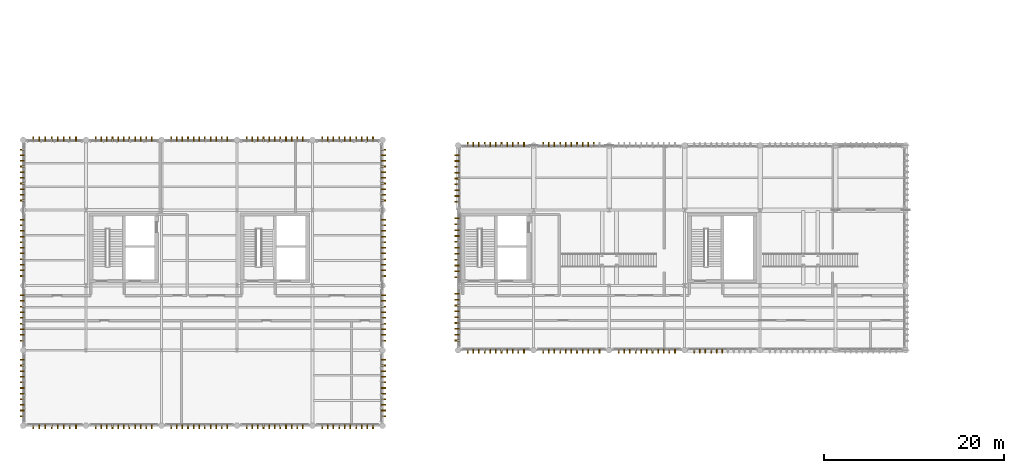
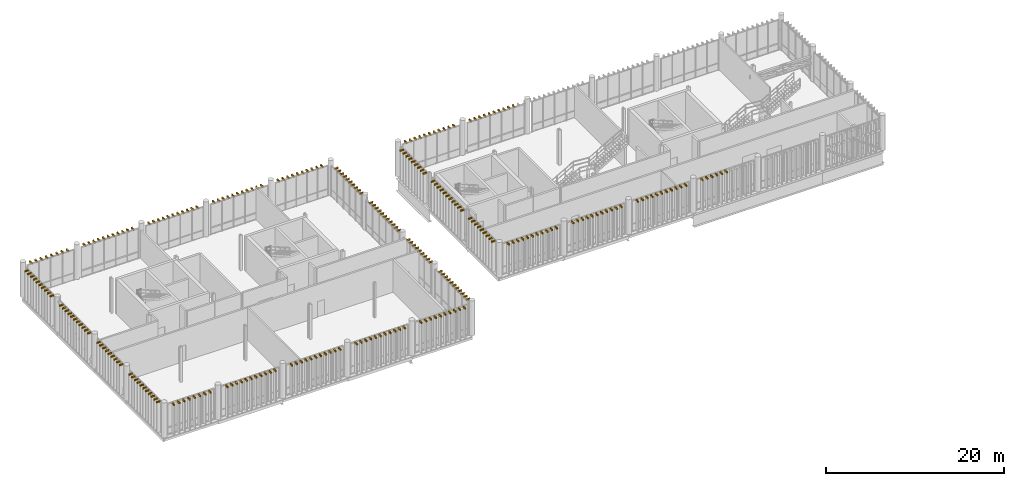
# One storey, part 84 of 86: 273 shading devices.
"""IFC4 building model written with IfcOpenShell, lengths in metres."""

import ifcopenshell
import ifcopenshell.guid

model = None  # the IFC model being written
_history = None  # IfcOwnerHistory: only IFC2X3 demands one
_inside = {}  # id of a spatial element -> (the spatial element, [elements in it])
_under = {}  # id of a project, library or spatial element -> (it, [spatial elements below it])
_declared = {}  # id of a project -> (the project, [libraries it declares])
_typed = {}  # id of a type object -> (the type object, [elements of that type])
_made_of = {}  # id of a material, layer set ... -> (it, [elements and type objects made of it])


def new_model(schema):
    """Start an empty IFC model of exactly this schema.

    Asked for "IFC4X3", IfcOpenShell would pick the latest addendum, in which some entities
    have other attributes; the version numbers below select the first issue.
    IFC2X3 requires an IfcOwnerHistory on every rooted entity: one is made here for all.
    """
    global model, _history
    if schema == "IFC4X3":
        model = ifcopenshell.file(schema_version=(4, 3, 0, 0))
    else:
        model = ifcopenshell.file(schema=schema)
    _inside.clear()
    _under.clear()
    _declared.clear()
    _typed.clear()
    _made_of.clear()
    _history = None
    if model.schema == "IFC2X3":
        org = make("IfcOrganization", Name="unknown")
        user = make(
            "IfcPersonAndOrganization",
            ThePerson=make("IfcPerson", FamilyName="unknown"),
            TheOrganization=org,
        )
        app = make(
            "IfcApplication",
            ApplicationDeveloper=org,
            Version="unknown",
            ApplicationFullName="unknown",
            ApplicationIdentifier="unknown",
        )
        _history = make(
            "IfcOwnerHistory",
            OwningUser=user,
            OwningApplication=app,
            ChangeAction="ADDED",
            CreationDate=0,
        )
    return model


def make(cls, **values):
    """One entity of the class cls with the attributes given. An attribute that is None is left unset."""
    return model.create_entity(
        cls, **{name: value for name, value in values.items() if value is not None}
    )


def rooted(cls, **values):
    """An entity with a GlobalId (a new one), such as an element, a storey or a relation."""
    return make(cls, GlobalId=ifcopenshell.guid.new(), OwnerHistory=_history, **values)


def si_unit(unit_type, name, prefix=None):
    """IfcSIUnit, for example si_unit("LENGTHUNIT", "METRE", prefix="MILLI")."""
    return make("IfcSIUnit", UnitType=unit_type, Prefix=prefix, Name=name)


def assignment(units):
    """IfcUnitAssignment: the units of a project."""
    return None if units is None else make("IfcUnitAssignment", Units=units)


def point(xyz):
    """IfcCartesianPoint."""
    return None if xyz is None else make("IfcCartesianPoint", Coordinates=xyz)


def direction(xyz):
    """IfcDirection."""
    return None if xyz is None else make("IfcDirection", DirectionRatios=xyz)


def frame(location, z_axis=None, x_axis=None):
    """IfcAxis2Placement3D, a coordinate frame: its origin and axes. An axis left out is left unset."""
    return make(
        "IfcAxis2Placement3D",
        Location=point(location),
        Axis=direction(z_axis),
        RefDirection=direction(x_axis),
    )


def frame_2d(location, x_axis=None):
    """IfcAxis2Placement2D, a coordinate frame in the plane: its origin and x axis."""
    return make(
        "IfcAxis2Placement2D", Location=point(location), RefDirection=direction(x_axis)
    )


def origin_with_axes():
    """The frame at (0, 0, 0) with the z axis (0, 0, 1) and the x axis (1, 0, 0) written out."""
    return frame((0.0, 0.0, 0.0), z_axis=(0.0, 0.0, 1.0), x_axis=(1.0, 0.0, 0.0))


def origin_2d_with_axis():
    """The frame at (0, 0) in the plane with the x axis (1, 0) written out."""
    return frame_2d((0.0, 0.0), x_axis=(1.0, 0.0))


def place(relative_to, where):
    """IfcLocalPlacement: puts the frame where relative to a parent placement (None: the world)."""
    return make(
        "IfcLocalPlacement", PlacementRelTo=relative_to, RelativePlacement=where
    )


def context(
    kind, dimensions, precision=None, world=None, true_north=None, identifier=None
):
    """IfcGeometricRepresentationContext, for example the 3D "Model" context."""
    return make(
        "IfcGeometricRepresentationContext",
        ContextIdentifier=identifier,
        ContextType=kind,
        CoordinateSpaceDimension=dimensions,
        Precision=precision,
        WorldCoordinateSystem=world,
        TrueNorth=true_north,
    )


def subcontext(parent, identifier, kind, view, scale=None):
    """IfcGeometricRepresentationSubContext, for example "Body" below "Model"."""
    return make(
        "IfcGeometricRepresentationSubContext",
        ContextIdentifier=identifier,
        ContextType=kind,
        ParentContext=parent,
        TargetScale=scale,
        TargetView=view,
    )


def project(units=None, contexts=None):
    """IfcProject with its units and contexts."""
    return rooted(
        "IfcProject",
        Name="project",
        RepresentationContexts=contexts,
        UnitsInContext=assignment(units),
    )


def spatial(cls, under=None, at=None, **own):
    """A site, building, storey or space (cls), placed at a placement, below another one or the project."""
    s = rooted(cls, ObjectPlacement=at, **own)
    if under is not None:
        _under.setdefault(under.id(), (under, []))[1].append(s)
    return s


def profile(cls, at=None, kind="AREA", **sizes):
    """A parametric profile (cls). Its sizes go by their IFC names, for example OverallWidth=200.0."""
    return make(cls, ProfileType=kind, Position=at, **sizes)


def rectangle(**sizes):
    """IfcRectangleProfileDef."""
    return profile("IfcRectangleProfileDef", **sizes)


def extrude(swept, where, along, depth):
    """IfcExtrudedAreaSolid: the profile swept, set in the frame where, extruded along a direction by depth."""
    return make(
        "IfcExtrudedAreaSolid",
        SweptArea=swept,
        Position=where,
        ExtrudedDirection=direction(along),
        Depth=depth,
    )


def shape(context_of_items, identifier, shape_type, items):
    """IfcShapeRepresentation: the items that make up one representation, for example the "Body"."""
    return make(
        "IfcShapeRepresentation",
        ContextOfItems=context_of_items,
        RepresentationIdentifier=identifier,
        RepresentationType=shape_type,
        Items=items,
    )


def material(Name=None, Category=None):
    """IfcMaterial."""
    return make("IfcMaterial", Name=Name, Category=Category)


def made_of(thing, what):
    """Note that an element or type object is made of a material, layer set ...; save() writes the relation."""
    if what is not None:
        _made_of.setdefault(what.id(), (what, []))[1].append(thing)
    return thing


def type_object(cls, material=None, **own):
    """A type object (cls), such as IfcWallType, which elements share."""
    return made_of(rooted(cls, **own), material)


def element(
    cls,
    number,
    at=None,
    inside=None,
    cuts=None,
    type_object=None,
    material=None,
    context=None,
    identifier="Body",
    shape_type=None,
    held_by="IfcProductDefinitionShape",
    body=None,
    shapes=None,
    **own,
):
    """One element of the class cls, such as IfcWall. Its Tag is "e" and its number.

    at: its placement. inside: the storey or other place that contains it. cuts: it is an
    opening in that element (IfcRelVoidsElement). A single representation is given by context,
    identifier, shape_type and body (its items); several are given by shapes. held_by: the class
    of the entity that holds the representations. save() writes the other relations.
    """
    e = rooted(cls, Tag="e%d" % number, ObjectPlacement=at, **own)
    if body is not None:
        shapes = [shape(context, identifier, shape_type, body)]
    if shapes is not None:
        e.Representation = make(held_by, Representations=shapes)
    if inside is not None:
        _inside.setdefault(inside.id(), (inside, []))[1].append(e)
    if cuts is not None:
        rooted(
            "IfcRelVoidsElement", RelatingBuildingElement=cuts, RelatedOpeningElement=e
        )
    if type_object is not None:
        _typed.setdefault(type_object.id(), (type_object, []))[1].append(e)
    return made_of(e, material)


def aggregate(whole, parts):
    """IfcRelAggregates: a whole, such as a stair, and the parts it consists of."""
    return rooted("IfcRelAggregates", RelatingObject=whole, RelatedObjects=parts)


def save(model, path):
    """Write the relations noted so far, then the file.

    IfcRelAggregates (storeys below a building ...), IfcRelContainedInSpatialStructure (elements
    in a storey), IfcRelDefinesByType, IfcRelAssociatesMaterial and IfcRelDeclares: one each for
    every whole, place, type object, material and project.
    """
    for whole, parts in _under.values():
        aggregate(whole, parts)
    for where, things in _inside.values():
        rooted(
            "IfcRelContainedInSpatialStructure",
            RelatedElements=things,
            RelatingStructure=where,
        )
    for kind, things in _typed.values():
        rooted("IfcRelDefinesByType", RelatedObjects=things, RelatingType=kind)
    for what, things in _made_of.values():
        rooted("IfcRelAssociatesMaterial", RelatedObjects=things, RelatingMaterial=what)
    for by, libraries in _declared.values():
        rooted("IfcRelDeclares", RelatingContext=by, RelatedDefinitions=libraries)
    model.write(path)


model = new_model("IFC4")

# Units and contexts
model_context = context("Model", 3, precision=1e-05, world=origin_with_axes(), true_north=direction((0.0, 1.0)))
body_context = subcontext(model_context, "Body", "Model", "MODEL_VIEW")
ifc_project = project(units=[si_unit("LENGTHUNIT", "METRE"), si_unit("AREAUNIT", "SQUARE_METRE"), si_unit("VOLUMEUNIT", "CUBIC_METRE"), si_unit("PLANEANGLEUNIT", "RADIAN"), si_unit("MASSUNIT", "GRAM", prefix="KILO"), si_unit("THERMODYNAMICTEMPERATUREUNIT", "KELVIN")], contexts=[model_context])

# Site, building, storey
site_placement = place(None, origin_with_axes())
site = spatial("IfcSite", under=ifc_project, at=site_placement, CompositionType="ELEMENT")
building_placement = place(site_placement, origin_with_axes())
building = spatial("IfcBuilding", under=site, at=building_placement, Name="Montbau Bow Law Courts", CompositionType="ELEMENT")
storey_placement = place(building_placement, frame((0.0, 0.0, 29.7), z_axis=(0.0, 0.0, 1.0), x_axis=(1.0, 0.0, 0.0)))
storey = spatial("IfcBuildingStorey", under=building, at=storey_placement, Name="L06", CompositionType="ELEMENT", Elevation=29.7)

# Shading devices
ifc_material_1 = material(Name="Freeze-Thaw Glazed Cream Ceramic Vertical Louvre", Category="masonry")
shading_device_type_1 = type_object("IfcShadingDeviceType", Name="SH-LVR-CRM", PredefinedType="USERDEFINED", material=ifc_material_1)
for number, where, z_axis, x_axis, name in (
    (1, (56.267, 38.89, 33.74), (0.0, 0.0, 1.0), (0.0, -1.0, 0.0), "LVR-L06-1903:shd_1903"),
    (2, (56.893, 38.89, 33.74), (0.0, 0.0, 1.0), (0.0, -1.0, 0.0), "LVR-L06-1904:shd_1904"),
    (3, (57.52, 38.89, 33.74), (0.0, 0.0, 1.0), (0.0, -1.0, 0.0), "LVR-L06-1905:shd_1905"),
    (4, (58.147, 38.89, 33.74), (0.0, 0.0, 1.0), (0.0, -1.0, 0.0), "LVR-L06-1906:shd_1906"),
    (5, (58.773, 38.89, 33.74), (0.0, 0.0, 1.0), (0.0, -1.0, 0.0), "LVR-L06-1907:shd_1907"),
    (6, (59.4, 38.89, 33.74), (0.0, 0.0, 1.0), (0.0, -1.0, 0.0), "LVR-L06-1908:shd_1908"),
    (7, (60.027, 38.89, 33.74), (0.0, 0.0, 1.0), (0.0, -1.0, 0.0), "LVR-L06-1909:shd_1909"),
    (8, (60.653, 38.89, 33.74), (0.0, 0.0, 1.0), (0.0, -1.0, 0.0), "LVR-L06-1910:shd_1910"),
    (9, (61.28, 38.89, 33.74), (0.0, 0.0, 1.0), (0.0, -1.0, 0.0), "LVR-L06-1911:shd_1911"),
    (10, (61.907, 38.89, 33.74), (0.0, 0.0, 1.0), (0.0, -1.0, 0.0), "LVR-L06-1912:shd_1912"),
    (11, (62.533, 38.89, 33.74), (0.0, 0.0, 1.0), (0.0, -1.0, 0.0), "LVR-L06-1913:shd_1913"),
    (12, (64.667, 38.89, 33.74), (0.0, 0.0, 1.0), (0.0, -1.0, 0.0), "LVR-L06-1914:shd_1914"),
    (13, (65.293, 38.89, 33.74), (0.0, 0.0, 1.0), (0.0, -1.0, 0.0), "LVR-L06-1915:shd_1915"),
    (14, (65.92, 38.89, 33.74), (0.0, 0.0, 1.0), (0.0, -1.0, 0.0), "LVR-L06-1916:shd_1916"),
    (15, (66.547, 38.89, 33.74), (0.0, 0.0, 1.0), (0.0, -1.0, 0.0), "LVR-L06-1917:shd_1917"),
    (16, (67.173, 38.89, 33.74), (0.0, 0.0, 1.0), (0.0, -1.0, 0.0), "LVR-L06-1918:shd_1918"),
    (17, (67.8, 38.89, 33.74), (0.0, 0.0, 1.0), (0.0, -1.0, 0.0), "LVR-L06-1919:shd_1919"),
    (18, (68.427, 38.89, 33.74), (0.0, 0.0, 1.0), (0.0, -1.0, 0.0), "LVR-L06-1920:shd_1920"),
    (19, (69.053, 38.89, 33.74), (0.0, 0.0, 1.0), (0.0, -1.0, 0.0), "LVR-L06-1921:shd_1921"),
    (20, (69.68, 38.89, 33.74), (0.0, 0.0, 1.0), (0.0, -1.0, 0.0), "LVR-L06-1922:shd_1922"),
    (21, (70.307, 38.89, 33.74), (0.0, 0.0, 1.0), (0.0, -1.0, 0.0), "LVR-L06-1923:shd_1923"),
    (22, (70.933, 38.89, 33.74), (0.0, 0.0, 1.0), (0.0, -1.0, 0.0), "LVR-L06-1924:shd_1924"),
    (23, (73.067, 38.89, 33.74), (0.0, 0.0, 1.0), (0.0, -1.0, 0.0), "LVR-L06-1925:shd_1925"),
    (24, (73.693, 38.89, 33.74), (0.0, 0.0, 1.0), (0.0, -1.0, 0.0), "LVR-L06-1926:shd_1926"),
    (25, (74.32, 38.89, 33.74), (0.0, 0.0, 1.0), (0.0, -1.0, 0.0), "LVR-L06-1927:shd_1927"),
    (26, (74.947, 38.89, 33.74), (0.0, 0.0, 1.0), (0.0, -1.0, 0.0), "LVR-L06-1928:shd_1928"),
    (27, (75.573, 38.89, 33.74), (0.0, 0.0, 1.0), (0.0, -1.0, 0.0), "LVR-L06-1929:shd_1929"),
    (28, (76.2, 38.89, 33.74), (0.0, 0.0, 1.0), (0.0, -1.0, 0.0), "LVR-L06-1930:shd_1930"),
    (29, (76.827, 38.89, 33.74), (0.0, 0.0, 1.0), (0.0, -1.0, 0.0), "LVR-L06-1931:shd_1931"),
    (30, (77.453, 38.89, 33.74), (0.0, 0.0, 1.0), (0.0, -1.0, 0.0), "LVR-L06-1932:shd_1932"),
    (31, (78.08, 38.89, 33.74), (0.0, 0.0, 1.0), (0.0, -1.0, 0.0), "LVR-L06-1933:shd_1933"),
    (32, (78.707, 38.89, 33.74), (0.0, 0.0, 1.0), (0.0, -1.0, 0.0), "LVR-L06-1934:shd_1934"),
    (33, (79.333, 38.89, 33.74), (0.0, 0.0, 1.0), (0.0, -1.0, 0.0), "LVR-L06-1935:shd_1935"),
    (34, (81.467, 38.89, 33.74), (0.0, 0.0, 1.0), (0.0, -1.0, 0.0), "LVR-L06-1936:shd_1936"),
    (35, (82.093, 38.89, 33.74), (0.0, 0.0, 1.0), (0.0, -1.0, 0.0), "LVR-L06-1937:shd_1937"),
    (36, (82.72, 38.89, 33.74), (0.0, 0.0, 1.0), (0.0, -1.0, 0.0), "LVR-L06-1938:shd_1938"),
    (37, (83.347, 38.89, 33.74), (0.0, 0.0, 1.0), (0.0, -1.0, 0.0), "LVR-L06-1939:shd_1939"),
    (38, (83.973, 38.89, 33.74), (0.0, 0.0, 1.0), (0.0, -1.0, 0.0), "LVR-L06-1940:shd_1940"),
    (39, (84.6, 38.89, 33.74), (0.0, 0.0, 1.0), (0.0, -1.0, 0.0), "LVR-L06-1941:shd_1941"),
    (40, (56.267, 61.91, 33.74), (0.0, 0.0, 1.0), (0.0, 1.0, 0.0), "LVR-L06-1968:shd_1968"),
    (41, (56.893, 61.91, 33.74), (0.0, 0.0, 1.0), (0.0, 1.0, 0.0), "LVR-L06-1969:shd_1969"),
    (42, (57.52, 61.91, 33.74), (0.0, 0.0, 1.0), (0.0, 1.0, 0.0), "LVR-L06-1970:shd_1970"),
    (43, (58.147, 61.91, 33.74), (0.0, 0.0, 1.0), (0.0, 1.0, 0.0), "LVR-L06-1971:shd_1971"),
    (44, (58.773, 61.91, 33.74), (0.0, 0.0, 1.0), (0.0, 1.0, 0.0), "LVR-L06-1972:shd_1972"),
    (45, (59.4, 61.91, 33.74), (0.0, 0.0, 1.0), (0.0, 1.0, 0.0), "LVR-L06-1973:shd_1973"),
    (46, (60.027, 61.91, 33.74), (0.0, 0.0, 1.0), (0.0, 1.0, 0.0), "LVR-L06-1974:shd_1974"),
    (47, (60.653, 61.91, 33.74), (0.0, 0.0, 1.0), (0.0, 1.0, 0.0), "LVR-L06-1975:shd_1975"),
    (48, (61.28, 61.91, 33.74), (0.0, 0.0, 1.0), (0.0, 1.0, 0.0), "LVR-L06-1976:shd_1976"),
    (49, (61.907, 61.91, 33.74), (0.0, 0.0, 1.0), (0.0, 1.0, 0.0), "LVR-L06-1977:shd_1977"),
    (50, (62.533, 61.91, 33.74), (0.0, 0.0, 1.0), (0.0, 1.0, 0.0), "LVR-L06-1978:shd_1978"),
    (51, (64.667, 61.91, 33.74), (0.0, 0.0, 1.0), (0.0, 1.0, 0.0), "LVR-L06-1979:shd_1979"),
    (52, (65.293, 61.91, 33.74), (0.0, 0.0, 1.0), (0.0, 1.0, 0.0), "LVR-L06-1980:shd_1980"),
    (53, (65.92, 61.91, 33.74), (0.0, 0.0, 1.0), (0.0, 1.0, 0.0), "LVR-L06-1981:shd_1981"),
    (54, (66.547, 61.91, 33.74), (0.0, 0.0, 1.0), (0.0, 1.0, 0.0), "LVR-L06-1982:shd_1982"),
    (55, (67.173, 61.91, 33.74), (0.0, 0.0, 1.0), (0.0, 1.0, 0.0), "LVR-L06-1983:shd_1983"),
    (56, (67.8, 61.91, 33.74), (0.0, 0.0, 1.0), (0.0, 1.0, 0.0), "LVR-L06-1984:shd_1984"),
    (57, (68.427, 61.91, 33.74), (0.0, 0.0, 1.0), (0.0, 1.0, 0.0), "LVR-L06-1985:shd_1985"),
    (58, (69.053, 61.91, 33.74), (0.0, 0.0, 1.0), (0.0, 1.0, 0.0), "LVR-L06-1986:shd_1986"),
    (59, (69.68, 61.91, 33.74), (0.0, 0.0, 1.0), (0.0, 1.0, 0.0), "LVR-L06-1987:shd_1987"),
    (60, (70.307, 61.91, 33.74), (0.0, 0.0, 1.0), (0.0, 1.0, 0.0), "LVR-L06-1988:shd_1988"),
    (61, (55.09, 40.089, 33.74), (0.0, 0.0, 1.0), (-1.0, 0.0, 0.0), "LVR-L06-2033:shd_2033"),
    (62, (55.09, 40.738, 33.74), (0.0, 0.0, 1.0), (-1.0, 0.0, 0.0), "LVR-L06-2034:shd_2034"),
    (63, (55.09, 41.388, 33.74), (0.0, 0.0, 1.0), (-1.0, 0.0, 0.0), "LVR-L06-2035:shd_2035"),
    (64, (55.09, 42.037, 33.74), (0.0, 0.0, 1.0), (-1.0, 0.0, 0.0), "LVR-L06-2036:shd_2036"),
    (65, (55.09, 42.686, 33.74), (0.0, 0.0, 1.0), (-1.0, 0.0, 0.0), "LVR-L06-2037:shd_2037"),
    (66, (55.09, 43.335, 33.74), (0.0, 0.0, 1.0), (-1.0, 0.0, 0.0), "LVR-L06-2038:shd_2038"),
    (67, (55.09, 43.984, 33.74), (0.0, 0.0, 1.0), (-1.0, 0.0, 0.0), "LVR-L06-2039:shd_2039"),
    (68, (55.09, 44.634, 33.74), (0.0, 0.0, 1.0), (-1.0, 0.0, 0.0), "LVR-L06-2040:shd_2040"),
    (69, (55.09, 45.283, 33.74), (0.0, 0.0, 1.0), (-1.0, 0.0, 0.0), "LVR-L06-2041:shd_2041"),
    (70, (55.09, 47.123, 33.74), (0.0, 0.0, 1.0), (-1.0, 0.0, 0.0), "LVR-L06-2042:shd_2042"),
    (71, (55.09, 47.779, 33.74), (0.0, 0.0, 1.0), (-1.0, 0.0, 0.0), "LVR-L06-2043:shd_2043"),
    (72, (55.09, 48.434, 33.74), (0.0, 0.0, 1.0), (-1.0, 0.0, 0.0), "LVR-L06-2044:shd_2044"),
    (73, (55.09, 49.089, 33.74), (0.0, 0.0, 1.0), (-1.0, 0.0, 0.0), "LVR-L06-2045:shd_2045"),
    (74, (55.09, 49.745, 33.74), (0.0, 0.0, 1.0), (-1.0, 0.0, 0.0), "LVR-L06-2046:shd_2046"),
    (75, (55.09, 50.4, 33.74), (0.0, 0.0, 1.0), (-1.0, 0.0, 0.0), "LVR-L06-2047:shd_2047"),
    (76, (55.09, 51.055, 33.74), (0.0, 0.0, 1.0), (-1.0, 0.0, 0.0), "LVR-L06-2048:shd_2048"),
    (77, (55.09, 51.711, 33.74), (0.0, 0.0, 1.0), (-1.0, 0.0, 0.0), "LVR-L06-2049:shd_2049"),
    (78, (55.09, 52.366, 33.74), (0.0, 0.0, 1.0), (-1.0, 0.0, 0.0), "LVR-L06-2050:shd_2050"),
    (79, (55.09, 53.021, 33.74), (0.0, 0.0, 1.0), (-1.0, 0.0, 0.0), "LVR-L06-2051:shd_2051"),
    (80, (55.09, 53.677, 33.74), (0.0, 0.0, 1.0), (-1.0, 0.0, 0.0), "LVR-L06-2052:shd_2052"),
    (81, (55.09, 55.517, 33.74), (0.0, 0.0, 1.0), (-1.0, 0.0, 0.0), "LVR-L06-2053:shd_2053"),
    (82, (55.09, 56.166, 33.74), (0.0, 0.0, 1.0), (-1.0, 0.0, 0.0), "LVR-L06-2054:shd_2054"),
    (83, (55.09, 56.816, 33.74), (0.0, 0.0, 1.0), (-1.0, 0.0, 0.0), "LVR-L06-2055:shd_2055"),
    (84, (55.09, 57.465, 33.74), (0.0, 0.0, 1.0), (-1.0, 0.0, 0.0), "LVR-L06-2056:shd_2056"),
    (85, (55.09, 58.114, 33.74), (0.0, 0.0, 1.0), (-1.0, 0.0, 0.0), "LVR-L06-2057:shd_2057"),
    (86, (55.09, 58.763, 33.74), (0.0, 0.0, 1.0), (-1.0, 0.0, 0.0), "LVR-L06-2058:shd_2058"),
    (87, (55.09, 59.412, 33.74), (0.0, 0.0, 1.0), (-1.0, 0.0, 0.0), "LVR-L06-2059:shd_2059"),
    (88, (55.09, 60.062, 33.74), (0.0, 0.0, 1.0), (-1.0, 0.0, 0.0), "LVR-L06-2060:shd_2060"),
    (89, (55.09, 60.711, 33.74), (0.0, 0.0, 1.0), (-1.0, 0.0, 0.0), "LVR-L06-2061:shd_2061"),
):
    element("IfcShadingDevice", number, at=place(None, frame(where, z_axis=z_axis, x_axis=x_axis)), inside=storey, type_object=shading_device_type_1, Name=name, ObjectType="LOUVRE", PredefinedType="USERDEFINED", context=body_context, shape_type="SweptSolid", body=[
        extrude(rectangle(XDim=0.48, YDim=0.12, at=origin_2d_with_axis()), origin_with_axes(), (0.0, 0.0, 1.0), 0.18),
    ])
ifc_material_2 = material(Name="Freeze-Thaw Glazed Terracotta-Red Ceramic Vertical Louvre", Category="masonry")
shading_device_type_2 = type_object("IfcShadingDeviceType", Name="SH-LVR-RED", PredefinedType="USERDEFINED", material=ifc_material_2)
for number, where, z_axis, x_axis, name in (
    (90, (7.92, 30.49, 33.74), (0.0, 0.0, 1.0), (0.0, -1.0, 0.0), "LVR-L06-0792:shd_0792"),
    (91, (8.6, 30.49, 33.74), (0.0, 0.0, 1.0), (0.0, -1.0, 0.0), "LVR-L06-0793:shd_0793"),
    (92, (9.28, 30.49, 33.74), (0.0, 0.0, 1.0), (0.0, -1.0, 0.0), "LVR-L06-0794:shd_0794"),
    (93, (9.96, 30.49, 33.74), (0.0, 0.0, 1.0), (0.0, -1.0, 0.0), "LVR-L06-0795:shd_0795"),
    (94, (10.64, 30.49, 33.74), (0.0, 0.0, 1.0), (0.0, -1.0, 0.0), "LVR-L06-0796:shd_0796"),
    (95, (11.32, 30.49, 33.74), (0.0, 0.0, 1.0), (0.0, -1.0, 0.0), "LVR-L06-0797:shd_0797"),
    (96, (12.0, 30.49, 33.74), (0.0, 0.0, 1.0), (0.0, -1.0, 0.0), "LVR-L06-0798:shd_0798"),
    (97, (12.68, 30.49, 33.74), (0.0, 0.0, 1.0), (0.0, -1.0, 0.0), "LVR-L06-0799:shd_0799"),
    (98, (14.867, 30.49, 33.74), (0.0, 0.0, 1.0), (0.0, -1.0, 0.0), "LVR-L06-0800:shd_0800"),
    (99, (15.493, 30.49, 33.74), (0.0, 0.0, 1.0), (0.0, -1.0, 0.0), "LVR-L06-0801:shd_0801"),
    (100, (16.12, 30.49, 33.74), (0.0, 0.0, 1.0), (0.0, -1.0, 0.0), "LVR-L06-0802:shd_0802"),
    (101, (16.747, 30.49, 33.74), (0.0, 0.0, 1.0), (0.0, -1.0, 0.0), "LVR-L06-0803:shd_0803"),
    (102, (17.373, 30.49, 33.74), (0.0, 0.0, 1.0), (0.0, -1.0, 0.0), "LVR-L06-0804:shd_0804"),
    (103, (18.0, 30.49, 33.74), (0.0, 0.0, 1.0), (0.0, -1.0, 0.0), "LVR-L06-0805:shd_0805"),
    (104, (18.627, 30.49, 33.74), (0.0, 0.0, 1.0), (0.0, -1.0, 0.0), "LVR-L06-0806:shd_0806"),
    (105, (19.253, 30.49, 33.74), (0.0, 0.0, 1.0), (0.0, -1.0, 0.0), "LVR-L06-0807:shd_0807"),
    (106, (19.88, 30.49, 33.74), (0.0, 0.0, 1.0), (0.0, -1.0, 0.0), "LVR-L06-0808:shd_0808"),
    (107, (20.507, 30.49, 33.74), (0.0, 0.0, 1.0), (0.0, -1.0, 0.0), "LVR-L06-0809:shd_0809"),
    (108, (21.133, 30.49, 33.74), (0.0, 0.0, 1.0), (0.0, -1.0, 0.0), "LVR-L06-0810:shd_0810"),
    (109, (23.267, 30.49, 33.74), (0.0, 0.0, 1.0), (0.0, -1.0, 0.0), "LVR-L06-0811:shd_0811"),
    (110, (23.893, 30.49, 33.74), (0.0, 0.0, 1.0), (0.0, -1.0, 0.0), "LVR-L06-0812:shd_0812"),
    (111, (24.52, 30.49, 33.74), (0.0, 0.0, 1.0), (0.0, -1.0, 0.0), "LVR-L06-0813:shd_0813"),
    (112, (25.147, 30.49, 33.74), (0.0, 0.0, 1.0), (0.0, -1.0, 0.0), "LVR-L06-0814:shd_0814"),
    (113, (25.773, 30.49, 33.74), (0.0, 0.0, 1.0), (0.0, -1.0, 0.0), "LVR-L06-0815:shd_0815"),
    (114, (26.4, 30.49, 33.74), (0.0, 0.0, 1.0), (0.0, -1.0, 0.0), "LVR-L06-0816:shd_0816"),
    (115, (27.027, 30.49, 33.74), (0.0, 0.0, 1.0), (0.0, -1.0, 0.0), "LVR-L06-0817:shd_0817"),
    (116, (27.653, 30.49, 33.74), (0.0, 0.0, 1.0), (0.0, -1.0, 0.0), "LVR-L06-0818:shd_0818"),
    (117, (28.28, 30.49, 33.74), (0.0, 0.0, 1.0), (0.0, -1.0, 0.0), "LVR-L06-0819:shd_0819"),
    (118, (28.907, 30.49, 33.74), (0.0, 0.0, 1.0), (0.0, -1.0, 0.0), "LVR-L06-0820:shd_0820"),
    (119, (29.533, 30.49, 33.74), (0.0, 0.0, 1.0), (0.0, -1.0, 0.0), "LVR-L06-0821:shd_0821"),
    (120, (31.667, 30.49, 33.74), (0.0, 0.0, 1.0), (0.0, -1.0, 0.0), "LVR-L06-0822:shd_0822"),
    (121, (32.293, 30.49, 33.74), (0.0, 0.0, 1.0), (0.0, -1.0, 0.0), "LVR-L06-0823:shd_0823"),
    (122, (32.92, 30.49, 33.74), (0.0, 0.0, 1.0), (0.0, -1.0, 0.0), "LVR-L06-0824:shd_0824"),
    (123, (33.547, 30.49, 33.74), (0.0, 0.0, 1.0), (0.0, -1.0, 0.0), "LVR-L06-0825:shd_0825"),
    (124, (34.173, 30.49, 33.74), (0.0, 0.0, 1.0), (0.0, -1.0, 0.0), "LVR-L06-0826:shd_0826"),
    (125, (34.8, 30.49, 33.74), (0.0, 0.0, 1.0), (0.0, -1.0, 0.0), "LVR-L06-0827:shd_0827"),
    (126, (35.427, 30.49, 33.74), (0.0, 0.0, 1.0), (0.0, -1.0, 0.0), "LVR-L06-0828:shd_0828"),
    (127, (36.053, 30.49, 33.74), (0.0, 0.0, 1.0), (0.0, -1.0, 0.0), "LVR-L06-0829:shd_0829"),
    (128, (36.68, 30.49, 33.74), (0.0, 0.0, 1.0), (0.0, -1.0, 0.0), "LVR-L06-0830:shd_0830"),
    (129, (37.307, 30.49, 33.74), (0.0, 0.0, 1.0), (0.0, -1.0, 0.0), "LVR-L06-0831:shd_0831"),
    (130, (37.933, 30.49, 33.74), (0.0, 0.0, 1.0), (0.0, -1.0, 0.0), "LVR-L06-0832:shd_0832"),
    (131, (40.069, 30.49, 33.74), (0.0, 0.0, 1.0), (0.0, -1.0, 0.0), "LVR-L06-0833:shd_0833"),
    (132, (40.698, 30.49, 33.74), (0.0, 0.0, 1.0), (0.0, -1.0, 0.0), "LVR-L06-0834:shd_0834"),
    (133, (41.327, 30.49, 33.74), (0.0, 0.0, 1.0), (0.0, -1.0, 0.0), "LVR-L06-0835:shd_0835"),
    (134, (41.956, 30.49, 33.74), (0.0, 0.0, 1.0), (0.0, -1.0, 0.0), "LVR-L06-0836:shd_0836"),
    (135, (42.585, 30.49, 33.74), (0.0, 0.0, 1.0), (0.0, -1.0, 0.0), "LVR-L06-0837:shd_0837"),
    (136, (43.215, 30.49, 33.74), (0.0, 0.0, 1.0), (0.0, -1.0, 0.0), "LVR-L06-0838:shd_0838"),
    (137, (43.844, 30.49, 33.74), (0.0, 0.0, 1.0), (0.0, -1.0, 0.0), "LVR-L06-0839:shd_0839"),
    (138, (44.473, 30.49, 33.74), (0.0, 0.0, 1.0), (0.0, -1.0, 0.0), "LVR-L06-0840:shd_0840"),
    (139, (45.102, 30.49, 33.74), (0.0, 0.0, 1.0), (0.0, -1.0, 0.0), "LVR-L06-0841:shd_0841"),
    (140, (45.731, 30.49, 33.74), (0.0, 0.0, 1.0), (0.0, -1.0, 0.0), "LVR-L06-0842:shd_0842"),
    (141, (7.92, 62.51, 33.74), (0.0, 0.0, 1.0), (0.0, 1.0, 0.0), "LVR-L06-0843:shd_0843"),
    (142, (8.6, 62.51, 33.74), (0.0, 0.0, 1.0), (0.0, 1.0, 0.0), "LVR-L06-0844:shd_0844"),
    (143, (9.28, 62.51, 33.74), (0.0, 0.0, 1.0), (0.0, 1.0, 0.0), "LVR-L06-0845:shd_0845"),
    (144, (9.96, 62.51, 33.74), (0.0, 0.0, 1.0), (0.0, 1.0, 0.0), "LVR-L06-0846:shd_0846"),
    (145, (10.64, 62.51, 33.74), (0.0, 0.0, 1.0), (0.0, 1.0, 0.0), "LVR-L06-0847:shd_0847"),
    (146, (11.32, 62.51, 33.74), (0.0, 0.0, 1.0), (0.0, 1.0, 0.0), "LVR-L06-0848:shd_0848"),
    (147, (12.0, 62.51, 33.74), (0.0, 0.0, 1.0), (0.0, 1.0, 0.0), "LVR-L06-0849:shd_0849"),
    (148, (12.68, 62.51, 33.74), (0.0, 0.0, 1.0), (0.0, 1.0, 0.0), "LVR-L06-0850:shd_0850"),
    (149, (14.867, 62.51, 33.74), (0.0, 0.0, 1.0), (0.0, 1.0, 0.0), "LVR-L06-0851:shd_0851"),
    (150, (15.493, 62.51, 33.74), (0.0, 0.0, 1.0), (0.0, 1.0, 0.0), "LVR-L06-0852:shd_0852"),
    (151, (16.12, 62.51, 33.74), (0.0, 0.0, 1.0), (0.0, 1.0, 0.0), "LVR-L06-0853:shd_0853"),
    (152, (16.747, 62.51, 33.74), (0.0, 0.0, 1.0), (0.0, 1.0, 0.0), "LVR-L06-0854:shd_0854"),
    (153, (17.373, 62.51, 33.74), (0.0, 0.0, 1.0), (0.0, 1.0, 0.0), "LVR-L06-0855:shd_0855"),
    (154, (18.0, 62.51, 33.74), (0.0, 0.0, 1.0), (0.0, 1.0, 0.0), "LVR-L06-0856:shd_0856"),
    (155, (18.627, 62.51, 33.74), (0.0, 0.0, 1.0), (0.0, 1.0, 0.0), "LVR-L06-0857:shd_0857"),
    (156, (19.253, 62.51, 33.74), (0.0, 0.0, 1.0), (0.0, 1.0, 0.0), "LVR-L06-0858:shd_0858"),
    (157, (19.88, 62.51, 33.74), (0.0, 0.0, 1.0), (0.0, 1.0, 0.0), "LVR-L06-0859:shd_0859"),
    (158, (20.507, 62.51, 33.74), (0.0, 0.0, 1.0), (0.0, 1.0, 0.0), "LVR-L06-0860:shd_0860"),
    (159, (21.133, 62.51, 33.74), (0.0, 0.0, 1.0), (0.0, 1.0, 0.0), "LVR-L06-0861:shd_0861"),
    (160, (23.267, 62.51, 33.74), (0.0, 0.0, 1.0), (0.0, 1.0, 0.0), "LVR-L06-0862:shd_0862"),
    (161, (23.893, 62.51, 33.74), (0.0, 0.0, 1.0), (0.0, 1.0, 0.0), "LVR-L06-0863:shd_0863"),
    (162, (24.52, 62.51, 33.74), (0.0, 0.0, 1.0), (0.0, 1.0, 0.0), "LVR-L06-0864:shd_0864"),
    (163, (25.147, 62.51, 33.74), (0.0, 0.0, 1.0), (0.0, 1.0, 0.0), "LVR-L06-0865:shd_0865"),
    (164, (25.773, 62.51, 33.74), (0.0, 0.0, 1.0), (0.0, 1.0, 0.0), "LVR-L06-0866:shd_0866"),
    (165, (26.4, 62.51, 33.74), (0.0, 0.0, 1.0), (0.0, 1.0, 0.0), "LVR-L06-0867:shd_0867"),
    (166, (27.027, 62.51, 33.74), (0.0, 0.0, 1.0), (0.0, 1.0, 0.0), "LVR-L06-0868:shd_0868"),
    (167, (27.653, 62.51, 33.74), (0.0, 0.0, 1.0), (0.0, 1.0, 0.0), "LVR-L06-0869:shd_0869"),
    (168, (28.28, 62.51, 33.74), (0.0, 0.0, 1.0), (0.0, 1.0, 0.0), "LVR-L06-0870:shd_0870"),
    (169, (28.907, 62.51, 33.74), (0.0, 0.0, 1.0), (0.0, 1.0, 0.0), "LVR-L06-0871:shd_0871"),
    (170, (29.533, 62.51, 33.74), (0.0, 0.0, 1.0), (0.0, 1.0, 0.0), "LVR-L06-0872:shd_0872"),
    (171, (31.667, 62.51, 33.74), (0.0, 0.0, 1.0), (0.0, 1.0, 0.0), "LVR-L06-0873:shd_0873"),
    (172, (32.293, 62.51, 33.74), (0.0, 0.0, 1.0), (0.0, 1.0, 0.0), "LVR-L06-0874:shd_0874"),
    (173, (32.92, 62.51, 33.74), (0.0, 0.0, 1.0), (0.0, 1.0, 0.0), "LVR-L06-0875:shd_0875"),
    (174, (33.547, 62.51, 33.74), (0.0, 0.0, 1.0), (0.0, 1.0, 0.0), "LVR-L06-0876:shd_0876"),
    (175, (34.173, 62.51, 33.74), (0.0, 0.0, 1.0), (0.0, 1.0, 0.0), "LVR-L06-0877:shd_0877"),
    (176, (34.8, 62.51, 33.74), (0.0, 0.0, 1.0), (0.0, 1.0, 0.0), "LVR-L06-0878:shd_0878"),
    (177, (35.427, 62.51, 33.74), (0.0, 0.0, 1.0), (0.0, 1.0, 0.0), "LVR-L06-0879:shd_0879"),
    (178, (36.053, 62.51, 33.74), (0.0, 0.0, 1.0), (0.0, 1.0, 0.0), "LVR-L06-0880:shd_0880"),
    (179, (36.68, 62.51, 33.74), (0.0, 0.0, 1.0), (0.0, 1.0, 0.0), "LVR-L06-0881:shd_0881"),
    (180, (37.307, 62.51, 33.74), (0.0, 0.0, 1.0), (0.0, 1.0, 0.0), "LVR-L06-0882:shd_0882"),
    (181, (37.933, 62.51, 33.74), (0.0, 0.0, 1.0), (0.0, 1.0, 0.0), "LVR-L06-0883:shd_0883"),
    (182, (40.069, 62.51, 33.74), (0.0, 0.0, 1.0), (0.0, 1.0, 0.0), "LVR-L06-0884:shd_0884"),
    (183, (40.698, 62.51, 33.74), (0.0, 0.0, 1.0), (0.0, 1.0, 0.0), "LVR-L06-0885:shd_0885"),
    (184, (41.327, 62.51, 33.74), (0.0, 0.0, 1.0), (0.0, 1.0, 0.0), "LVR-L06-0886:shd_0886"),
    (185, (41.956, 62.51, 33.74), (0.0, 0.0, 1.0), (0.0, 1.0, 0.0), "LVR-L06-0887:shd_0887"),
    (186, (42.585, 62.51, 33.74), (0.0, 0.0, 1.0), (0.0, 1.0, 0.0), "LVR-L06-0888:shd_0888"),
    (187, (43.215, 62.51, 33.74), (0.0, 0.0, 1.0), (0.0, 1.0, 0.0), "LVR-L06-0889:shd_0889"),
    (188, (43.844, 62.51, 33.74), (0.0, 0.0, 1.0), (0.0, 1.0, 0.0), "LVR-L06-0890:shd_0890"),
    (189, (44.473, 62.51, 33.74), (0.0, 0.0, 1.0), (0.0, 1.0, 0.0), "LVR-L06-0891:shd_0891"),
    (190, (45.102, 62.51, 33.74), (0.0, 0.0, 1.0), (0.0, 1.0, 0.0), "LVR-L06-0892:shd_0892"),
    (191, (45.731, 62.51, 33.74), (0.0, 0.0, 1.0), (0.0, 1.0, 0.0), "LVR-L06-0893:shd_0893"),
    (192, (6.69, 31.667, 33.74), (0.0, 0.0, 1.0), (-1.0, 0.0, 0.0), "LVR-L06-0894:shd_0894"),
    (193, (6.69, 32.293, 33.74), (0.0, 0.0, 1.0), (-1.0, 0.0, 0.0), "LVR-L06-0895:shd_0895"),
    (194, (6.69, 32.92, 33.74), (0.0, 0.0, 1.0), (-1.0, 0.0, 0.0), "LVR-L06-0896:shd_0896"),
    (195, (6.69, 33.547, 33.74), (0.0, 0.0, 1.0), (-1.0, 0.0, 0.0), "LVR-L06-0897:shd_0897"),
    (196, (6.69, 34.173, 33.74), (0.0, 0.0, 1.0), (-1.0, 0.0, 0.0), "LVR-L06-0898:shd_0898"),
    (197, (6.69, 34.8, 33.74), (0.0, 0.0, 1.0), (-1.0, 0.0, 0.0), "LVR-L06-0899:shd_0899"),
    (198, (6.69, 35.427, 33.74), (0.0, 0.0, 1.0), (-1.0, 0.0, 0.0), "LVR-L06-0900:shd_0900"),
    (199, (6.69, 36.053, 33.74), (0.0, 0.0, 1.0), (-1.0, 0.0, 0.0), "LVR-L06-0901:shd_0901"),
    (200, (6.69, 36.68, 33.74), (0.0, 0.0, 1.0), (-1.0, 0.0, 0.0), "LVR-L06-0902:shd_0902"),
    (201, (6.69, 37.307, 33.74), (0.0, 0.0, 1.0), (-1.0, 0.0, 0.0), "LVR-L06-0903:shd_0903"),
    (202, (6.69, 37.933, 33.74), (0.0, 0.0, 1.0), (-1.0, 0.0, 0.0), "LVR-L06-0904:shd_0904"),
    (203, (6.69, 40.072, 33.74), (0.0, 0.0, 1.0), (-1.0, 0.0, 0.0), "LVR-L06-0905:shd_0905"),
    (204, (6.69, 40.704, 33.74), (0.0, 0.0, 1.0), (-1.0, 0.0, 0.0), "LVR-L06-0906:shd_0906"),
    (205, (6.69, 41.336, 33.74), (0.0, 0.0, 1.0), (-1.0, 0.0, 0.0), "LVR-L06-0907:shd_0907"),
    (206, (6.69, 41.968, 33.74), (0.0, 0.0, 1.0), (-1.0, 0.0, 0.0), "LVR-L06-0908:shd_0908"),
    (207, (6.69, 42.6, 33.74), (0.0, 0.0, 1.0), (-1.0, 0.0, 0.0), "LVR-L06-0909:shd_0909"),
    (208, (6.69, 43.232, 33.74), (0.0, 0.0, 1.0), (-1.0, 0.0, 0.0), "LVR-L06-0910:shd_0910"),
    (209, (6.69, 43.864, 33.74), (0.0, 0.0, 1.0), (-1.0, 0.0, 0.0), "LVR-L06-0911:shd_0911"),
    (210, (6.69, 44.496, 33.74), (0.0, 0.0, 1.0), (-1.0, 0.0, 0.0), "LVR-L06-0912:shd_0912"),
    (211, (6.69, 45.128, 33.74), (0.0, 0.0, 1.0), (-1.0, 0.0, 0.0), "LVR-L06-0913:shd_0913"),
    (212, (6.69, 47.267, 33.74), (0.0, 0.0, 1.0), (-1.0, 0.0, 0.0), "LVR-L06-0914:shd_0914"),
    (213, (6.69, 47.893, 33.74), (0.0, 0.0, 1.0), (-1.0, 0.0, 0.0), "LVR-L06-0915:shd_0915"),
    (214, (6.69, 48.52, 33.74), (0.0, 0.0, 1.0), (-1.0, 0.0, 0.0), "LVR-L06-0916:shd_0916"),
    (215, (6.69, 49.147, 33.74), (0.0, 0.0, 1.0), (-1.0, 0.0, 0.0), "LVR-L06-0917:shd_0917"),
    (216, (6.69, 49.773, 33.74), (0.0, 0.0, 1.0), (-1.0, 0.0, 0.0), "LVR-L06-0918:shd_0918"),
    (217, (6.69, 50.4, 33.74), (0.0, 0.0, 1.0), (-1.0, 0.0, 0.0), "LVR-L06-0919:shd_0919"),
    (218, (6.69, 51.027, 33.74), (0.0, 0.0, 1.0), (-1.0, 0.0, 0.0), "LVR-L06-0920:shd_0920"),
    (219, (6.69, 51.653, 33.74), (0.0, 0.0, 1.0), (-1.0, 0.0, 0.0), "LVR-L06-0921:shd_0921"),
    (220, (6.69, 52.28, 33.74), (0.0, 0.0, 1.0), (-1.0, 0.0, 0.0), "LVR-L06-0922:shd_0922"),
    (221, (6.69, 52.907, 33.74), (0.0, 0.0, 1.0), (-1.0, 0.0, 0.0), "LVR-L06-0923:shd_0923"),
    (222, (6.69, 53.533, 33.74), (0.0, 0.0, 1.0), (-1.0, 0.0, 0.0), "LVR-L06-0924:shd_0924"),
    (223, (6.69, 55.669, 33.74), (0.0, 0.0, 1.0), (-1.0, 0.0, 0.0), "LVR-L06-0925:shd_0925"),
    (224, (6.69, 56.298, 33.74), (0.0, 0.0, 1.0), (-1.0, 0.0, 0.0), "LVR-L06-0926:shd_0926"),
    (225, (6.69, 56.927, 33.74), (0.0, 0.0, 1.0), (-1.0, 0.0, 0.0), "LVR-L06-0927:shd_0927"),
    (226, (6.69, 57.556, 33.74), (0.0, 0.0, 1.0), (-1.0, 0.0, 0.0), "LVR-L06-0928:shd_0928"),
    (227, (6.69, 58.185, 33.74), (0.0, 0.0, 1.0), (-1.0, 0.0, 0.0), "LVR-L06-0929:shd_0929"),
    (228, (6.69, 58.815, 33.74), (0.0, 0.0, 1.0), (-1.0, 0.0, 0.0), "LVR-L06-0930:shd_0930"),
    (229, (6.69, 59.444, 33.74), (0.0, 0.0, 1.0), (-1.0, 0.0, 0.0), "LVR-L06-0931:shd_0931"),
    (230, (6.69, 60.073, 33.74), (0.0, 0.0, 1.0), (-1.0, 0.0, 0.0), "LVR-L06-0932:shd_0932"),
    (231, (6.69, 60.702, 33.74), (0.0, 0.0, 1.0), (-1.0, 0.0, 0.0), "LVR-L06-0933:shd_0933"),
    (232, (6.69, 61.331, 33.74), (0.0, 0.0, 1.0), (-1.0, 0.0, 0.0), "LVR-L06-0934:shd_0934"),
    (233, (46.91, 31.667, 33.74), (0.0, 0.0, 1.0), (1.0, 0.0, 0.0), "LVR-L06-0935:shd_0935"),
    (234, (46.91, 32.293, 33.74), (0.0, 0.0, 1.0), (1.0, 0.0, 0.0), "LVR-L06-0936:shd_0936"),
    (235, (46.91, 32.92, 33.74), (0.0, 0.0, 1.0), (1.0, 0.0, 0.0), "LVR-L06-0937:shd_0937"),
    (236, (46.91, 33.547, 33.74), (0.0, 0.0, 1.0), (1.0, 0.0, 0.0), "LVR-L06-0938:shd_0938"),
    (237, (46.91, 34.173, 33.74), (0.0, 0.0, 1.0), (1.0, 0.0, 0.0), "LVR-L06-0939:shd_0939"),
    (238, (46.91, 34.8, 33.74), (0.0, 0.0, 1.0), (1.0, 0.0, 0.0), "LVR-L06-0940:shd_0940"),
    (239, (46.91, 35.427, 33.74), (0.0, 0.0, 1.0), (1.0, 0.0, 0.0), "LVR-L06-0941:shd_0941"),
    (240, (46.91, 36.053, 33.74), (0.0, 0.0, 1.0), (1.0, 0.0, 0.0), "LVR-L06-0942:shd_0942"),
    (241, (46.91, 36.68, 33.74), (0.0, 0.0, 1.0), (1.0, 0.0, 0.0), "LVR-L06-0943:shd_0943"),
    (242, (46.91, 37.307, 33.74), (0.0, 0.0, 1.0), (1.0, 0.0, 0.0), "LVR-L06-0944:shd_0944"),
    (243, (46.91, 37.933, 33.74), (0.0, 0.0, 1.0), (1.0, 0.0, 0.0), "LVR-L06-0945:shd_0945"),
    (244, (46.91, 40.072, 33.74), (0.0, 0.0, 1.0), (1.0, 0.0, 0.0), "LVR-L06-0946:shd_0946"),
    (245, (46.91, 40.704, 33.74), (0.0, 0.0, 1.0), (1.0, 0.0, 0.0), "LVR-L06-0947:shd_0947"),
    (246, (46.91, 41.336, 33.74), (0.0, 0.0, 1.0), (1.0, 0.0, 0.0), "LVR-L06-0948:shd_0948"),
    (247, (46.91, 41.968, 33.74), (0.0, 0.0, 1.0), (1.0, 0.0, 0.0), "LVR-L06-0949:shd_0949"),
    (248, (46.91, 42.6, 33.74), (0.0, 0.0, 1.0), (1.0, 0.0, 0.0), "LVR-L06-0950:shd_0950"),
    (249, (46.91, 43.232, 33.74), (0.0, 0.0, 1.0), (1.0, 0.0, 0.0), "LVR-L06-0951:shd_0951"),
    (250, (46.91, 43.864, 33.74), (0.0, 0.0, 1.0), (1.0, 0.0, 0.0), "LVR-L06-0952:shd_0952"),
    (251, (46.91, 44.496, 33.74), (0.0, 0.0, 1.0), (1.0, 0.0, 0.0), "LVR-L06-0953:shd_0953"),
    (252, (46.91, 45.128, 33.74), (0.0, 0.0, 1.0), (1.0, 0.0, 0.0), "LVR-L06-0954:shd_0954"),
    (253, (46.91, 47.267, 33.74), (0.0, 0.0, 1.0), (1.0, 0.0, 0.0), "LVR-L06-0955:shd_0955"),
    (254, (46.91, 47.893, 33.74), (0.0, 0.0, 1.0), (1.0, 0.0, 0.0), "LVR-L06-0956:shd_0956"),
    (255, (46.91, 48.52, 33.74), (0.0, 0.0, 1.0), (1.0, 0.0, 0.0), "LVR-L06-0957:shd_0957"),
    (256, (46.91, 49.147, 33.74), (0.0, 0.0, 1.0), (1.0, 0.0, 0.0), "LVR-L06-0958:shd_0958"),
    (257, (46.91, 49.773, 33.74), (0.0, 0.0, 1.0), (1.0, 0.0, 0.0), "LVR-L06-0959:shd_0959"),
    (258, (46.91, 50.4, 33.74), (0.0, 0.0, 1.0), (1.0, 0.0, 0.0), "LVR-L06-0960:shd_0960"),
    (259, (46.91, 51.027, 33.74), (0.0, 0.0, 1.0), (1.0, 0.0, 0.0), "LVR-L06-0961:shd_0961"),
    (260, (46.91, 51.653, 33.74), (0.0, 0.0, 1.0), (1.0, 0.0, 0.0), "LVR-L06-0962:shd_0962"),
    (261, (46.91, 52.28, 33.74), (0.0, 0.0, 1.0), (1.0, 0.0, 0.0), "LVR-L06-0963:shd_0963"),
    (262, (46.91, 52.907, 33.74), (0.0, 0.0, 1.0), (1.0, 0.0, 0.0), "LVR-L06-0964:shd_0964"),
    (263, (46.91, 53.533, 33.74), (0.0, 0.0, 1.0), (1.0, 0.0, 0.0), "LVR-L06-0965:shd_0965"),
    (264, (46.91, 55.669, 33.74), (0.0, 0.0, 1.0), (1.0, 0.0, 0.0), "LVR-L06-0966:shd_0966"),
    (265, (46.91, 56.298, 33.74), (0.0, 0.0, 1.0), (1.0, 0.0, 0.0), "LVR-L06-0967:shd_0967"),
    (266, (46.91, 56.927, 33.74), (0.0, 0.0, 1.0), (1.0, 0.0, 0.0), "LVR-L06-0968:shd_0968"),
    (267, (46.91, 57.556, 33.74), (0.0, 0.0, 1.0), (1.0, 0.0, 0.0), "LVR-L06-0969:shd_0969"),
    (268, (46.91, 58.185, 33.74), (0.0, 0.0, 1.0), (1.0, 0.0, 0.0), "LVR-L06-0970:shd_0970"),
    (269, (46.91, 58.815, 33.74), (0.0, 0.0, 1.0), (1.0, 0.0, 0.0), "LVR-L06-0971:shd_0971"),
    (270, (46.91, 59.444, 33.74), (0.0, 0.0, 1.0), (1.0, 0.0, 0.0), "LVR-L06-0972:shd_0972"),
    (271, (46.91, 60.073, 33.74), (0.0, 0.0, 1.0), (1.0, 0.0, 0.0), "LVR-L06-0973:shd_0973"),
    (272, (46.91, 60.702, 33.74), (0.0, 0.0, 1.0), (1.0, 0.0, 0.0), "LVR-L06-0974:shd_0974"),
    (273, (46.91, 61.331, 33.74), (0.0, 0.0, 1.0), (1.0, 0.0, 0.0), "LVR-L06-0975:shd_0975"),
):
    element("IfcShadingDevice", number, at=place(None, frame(where, z_axis=z_axis, x_axis=x_axis)), inside=storey, type_object=shading_device_type_2, Name=name, ObjectType="LOUVRE", PredefinedType="USERDEFINED", context=body_context, shape_type="SweptSolid", body=[
        extrude(rectangle(XDim=0.48, YDim=0.12, at=origin_2d_with_axis()), origin_with_axes(), (0.0, 0.0, 1.0), 0.18),
    ])

save(model, "model.ifc")
